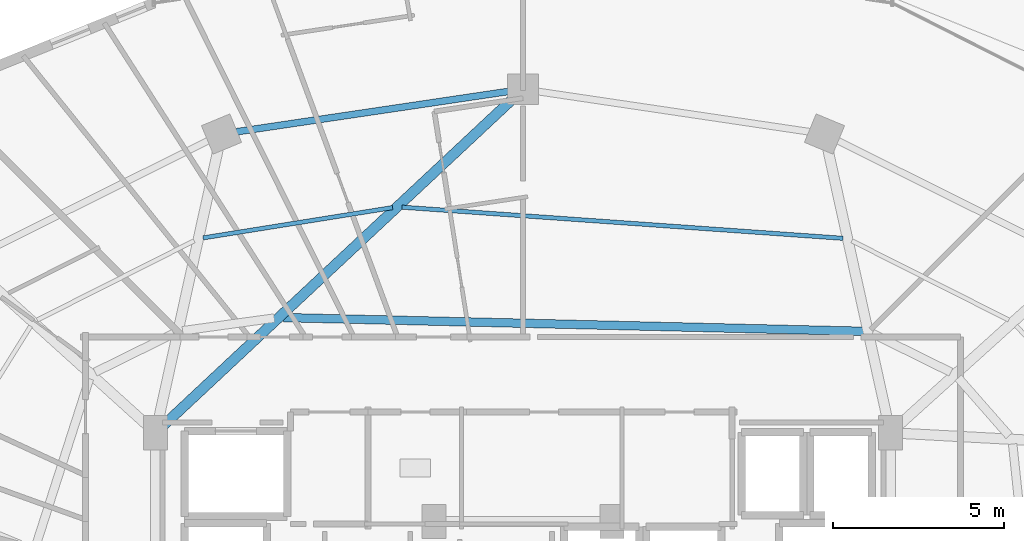
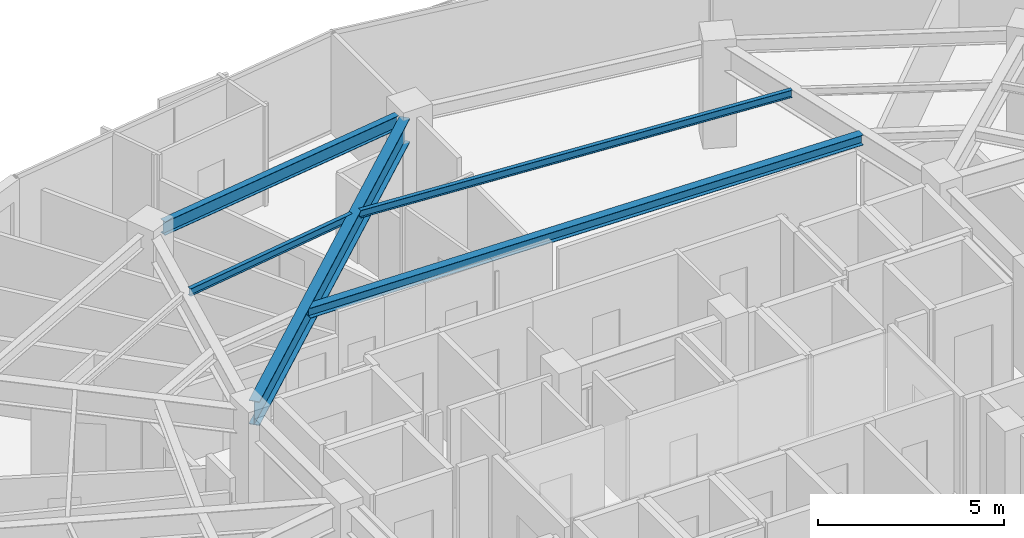
# One storey, part 18 of 33: 5 beams.
"""IFC4 building model written with IfcOpenShell, lengths in metres."""

from ifc_helpers import new_model, si_unit, direction, frame, origin, origin_2d, place, context, subcontext, project, spatial, i_section, extrude, material, material_profile, profile_set, type_object, element, save


model = new_model("IFC4")

# Units and contexts
model_context = context("Model", 3, precision=1e-05, world=origin(), true_north=direction((0.0, 1.0)))
body_context = subcontext(model_context, "Body", "Model", "MODEL_VIEW")
ifc_project = project(units=[si_unit("LENGTHUNIT", "METRE"), si_unit("AREAUNIT", "SQUARE_METRE"), si_unit("VOLUMEUNIT", "CUBIC_METRE"), si_unit("PLANEANGLEUNIT", "RADIAN"), si_unit("MASSUNIT", "GRAM", prefix="KILO")], contexts=[model_context])

# Site, building, storey
site_placement = place(None, origin())
site = spatial("IfcSite", under=ifc_project, at=site_placement, CompositionType="ELEMENT")
building_placement = place(site_placement, origin())
building = spatial("IfcBuilding", under=site, at=building_placement, Name="Vorneva Point Tower", CompositionType="ELEMENT")
storey_placement = place(building_placement, frame((0.0, 0.0, 200.10009765625)))
storey = spatial("IfcBuildingStorey", under=building, at=storey_placement, Name="L54", CompositionType="ELEMENT", Elevation=200.10009765625)

# Beams
ifc_material = material(Name="Steel S355", Category="steel")
ifc_material_profile_1 = material_profile(ifc_material, i_section(OverallWidth=0.300048828125, OverallDepth=0.7880859375, WebThickness=0.014404296875, FlangeThickness=0.02197265625, at=origin_2d()), Name="80Sh1")
ifc_profile_set_1 = profile_set([ifc_material_profile_1], Name="Steel S355")
beam_type_1 = type_object("IfcBeamType", Name="BM-GRD-80Sh1", PredefinedType="USERDEFINED", material=ifc_profile_set_1)
beam_1_placement = place(storey_placement, frame((37.679931640625, 42.90087890625, 2.89599609375), z_axis=(-0.730484767146, -0.682928989696, 0.0), x_axis=(0.682928989696, -0.730484767146, 0.0)))
element("IfcBeam", 1, at=beam_1_placement, inside=storey, type_object=beam_type_1, Name="L54 Radial Primary Girder 05", ObjectType="GIRDER", PredefinedType="USERDEFINED", context=body_context, shape_type="SweptSolid", body=[
    extrude(i_section(OverallWidth=0.300048828125, OverallDepth=0.7880859375, WebThickness=0.014404296875, FlangeThickness=0.02197265625, at=origin_2d()), origin(), (0.0, 0.0, 1.0), 13.938232421875),
])
ifc_material_profile_2 = material_profile(ifc_material, i_section(OverallWidth=0.1240234375, OverallDepth=0.248046875, WebThickness=0.0048828125, FlangeThickness=0.008056640625, at=origin_2d()), Name="25B1")
ifc_profile_set_2 = profile_set([ifc_material_profile_2], Name="Steel S355")
beam_type_2 = type_object("IfcBeamType", Name="BM-JST-25B1", PredefinedType="JOIST", material=ifc_profile_set_2)
beam_2_placement = place(storey_placement, frame((47.35888671875, 38.839111328125, 3.166015625), z_axis=(-0.997516721019, 0.070430045344, 0.0), x_axis=(-0.070430045344, -0.997516721019, 0.0)))
element("IfcBeam", 2, at=beam_2_placement, inside=storey, type_object=beam_type_2, Name="L54 Secondary Floor Beam 1.04", PredefinedType="JOIST", context=body_context, shape_type="SweptSolid", body=[
    extrude(i_section(OverallWidth=0.1240234375, OverallDepth=0.248046875, WebThickness=0.0048828125, FlangeThickness=0.008056640625, at=origin_2d()), origin(), (0.0, 0.0, 1.0), 12.933349609375),
])
beam_3_placement = place(storey_placement, frame((34.183837890625, 39.73779296875, 3.166015625), z_axis=(-0.987450398391, -0.157929448543, 0.0), x_axis=(0.157929448543, -0.987450398391, 0.0)))
element("IfcBeam", 3, at=beam_3_placement, inside=storey, type_object=beam_type_2, Name="L54 Secondary Floor Beam 1.05", PredefinedType="JOIST", context=body_context, shape_type="SweptSolid", body=[
    extrude(i_section(OverallWidth=0.1240234375, OverallDepth=0.248046875, WebThickness=0.0048828125, FlangeThickness=0.008056640625, at=origin_2d()), origin(), (0.0, 0.0, 1.0), 5.61474609375),
])
ifc_material_profile_3 = material_profile(ifc_material, i_section(OverallWidth=0.2490234375, OverallDepth=0.333984375, WebThickness=0.008056640625, FlangeThickness=0.010986328125, at=origin_2d()), Name="35Sh1")
ifc_profile_set_3 = profile_set([ifc_material_profile_3], Name="Steel S355")
beam_type_3 = type_object("IfcBeamType", Name="BM-SEC-35Sh1", PredefinedType="BEAM", material=ifc_profile_set_3)
beam_4_placement = place(storey_placement, frame((47.95751953125, 36.118896484375, 3.122802734375), z_axis=(-0.999720468409, 0.02364286456, 0.0), x_axis=(-0.02364286456, -0.999720468409, 0.0)))
element("IfcBeam", 4, at=beam_4_placement, inside=storey, type_object=beam_type_3, Name="L54 Secondary Floor Beam 2.04", PredefinedType="BEAM", context=body_context, shape_type="SweptSolid", body=[
    extrude(i_section(OverallWidth=0.2490234375, OverallDepth=0.333984375, WebThickness=0.008056640625, FlangeThickness=0.010986328125, at=origin_2d()), origin(), (0.0, 0.0, 1.0), 16.9658203125),
])
ifc_material_profile_4 = material_profile(ifc_material, i_section(OverallWidth=0.198974609375, OverallDepth=0.446044921875, WebThickness=0.008056640625, FlangeThickness=0.011962890625, at=origin_2d()), Name="45B1")
ifc_profile_set_4 = profile_set([ifc_material_profile_4], Name="Steel S355")
beam_type_4 = type_object("IfcBeamType", Name="BM-SPN-45B1", PredefinedType="SPANDREL", material=ifc_profile_set_4)
beam_5_placement = place(storey_placement, frame((37.569580078125, 43.135986328125, 3.06689453125), z_axis=(-0.989165476332, -0.146804837907, 0.0), x_axis=(0.146804837907, -0.989165476332, 0.0)))
element("IfcBeam", 5, at=beam_5_placement, inside=storey, type_object=beam_type_4, Name="L54 Perimeter Spandrel Ring Beam 05", PredefinedType="SPANDREL", context=body_context, shape_type="SweptSolid", body=[
    extrude(i_section(OverallWidth=0.198974609375, OverallDepth=0.446044921875, WebThickness=0.008056640625, FlangeThickness=0.011962890625, at=origin_2d()), origin(), (0.0, 0.0, 1.0), 8.04736328125),
])

save(model, "model.ifc")
